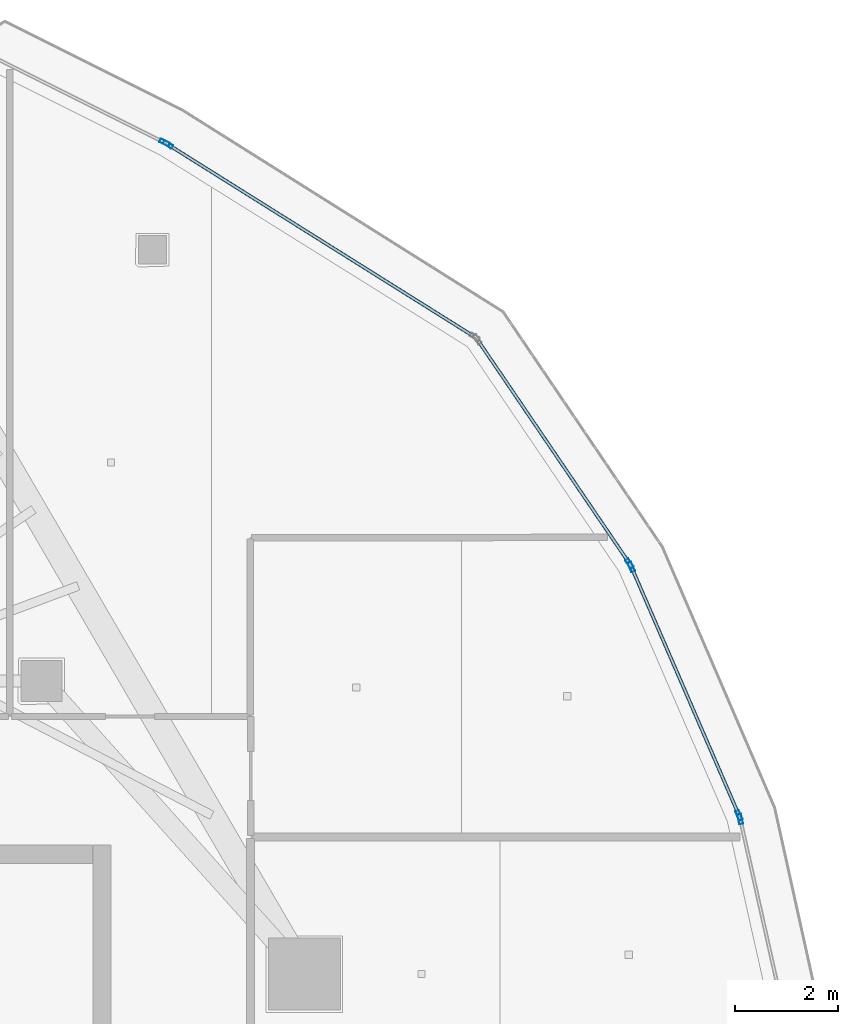
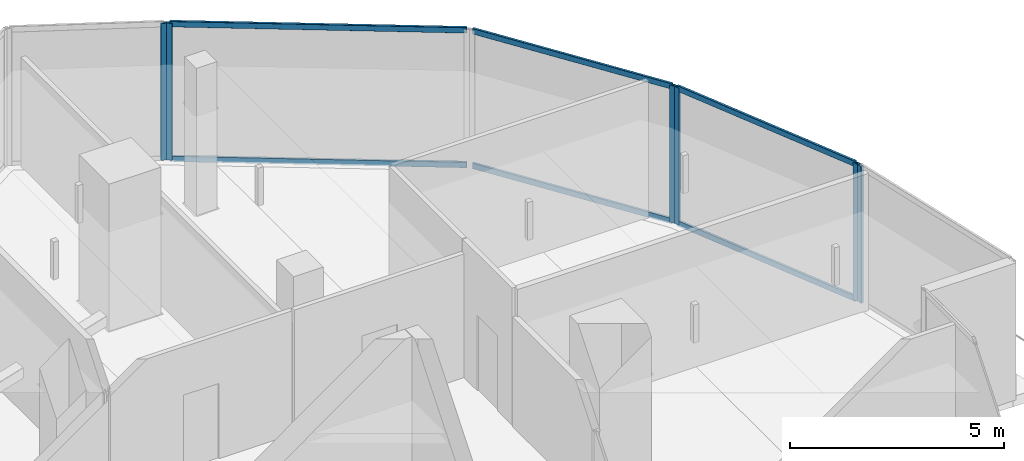
# One storey, part 18 of 30: 12 members, 5 elements without a shape of their own.
"""IFC4 building model written with IfcOpenShell, lengths in metres."""

from ifc_helpers import new_model, si_unit, direction, frame, origin, origin_2d, place, context, subcontext, project, spatial, hollow_rectangle, extrude, material, layer, layer_set, material_profile, profile_set, type_object, element, aggregate, save


model = new_model("IFC4")

# Units and contexts
model_context = context("Model", 3, precision=1e-05, world=origin(), true_north=direction((0.0, 1.0)))
body_context = subcontext(model_context, "Body", "Model", "MODEL_VIEW")
ifc_project = project(units=[si_unit("LENGTHUNIT", "METRE"), si_unit("AREAUNIT", "SQUARE_METRE"), si_unit("VOLUMEUNIT", "CUBIC_METRE"), si_unit("PLANEANGLEUNIT", "RADIAN"), si_unit("MASSUNIT", "GRAM", prefix="KILO")], contexts=[model_context])

# Site, building, storey
site_placement = place(None, origin())
site = spatial("IfcSite", under=ifc_project, at=site_placement, CompositionType="ELEMENT")
building_placement = place(site_placement, origin())
building = spatial("IfcBuilding", under=site, at=building_placement, Name="Qorvath Tower", CompositionType="ELEMENT")
storey_placement = place(building_placement, frame((0.0, 0.0, 289.199951171875)))
storey = spatial("IfcBuildingStorey", under=building, at=storey_placement, Name="L67", CompositionType="ELEMENT", Elevation=289.199951171875)

# Curtain wall, member
ifc_material_1 = material(Name="Anodised aluminium and triple low-E glass", Category="aluminium")
ifc_layer = layer(ifc_material_1, 0.179931640625)
ifc_layer_set = layer_set([ifc_layer], Name="CW-SYS-5")
curtain_wall_type = type_object("IfcCurtainWallType", Name="CW-SYS-5", PredefinedType="NOTDEFINED", material=ifc_layer_set)
curtain_wall_1_placement = place(storey_placement, origin())
curtain_wall_1 = element("IfcCurtainWall", 1, at=curtain_wall_1_placement, inside=storey, type_object=curtain_wall_type, Name="Curtain Wall CW-5 CW-T-L67-11.1", PredefinedType="NOTDEFINED")
ifc_material_2 = material(Name="Anodised aluminium 6063-T6", Category="aluminium")
ifc_material_profile_1 = material_profile(ifc_material_2, hollow_rectangle(XDim=0.074951171875, YDim=0.199951171875, WallThickness=0.00390625, InnerFilletRadius=0.00390625, OuterFilletRadius=0.008056640625, at=origin_2d()), Name="CWM 200x75")
ifc_profile_set_1 = profile_set([ifc_material_profile_1], Name="Anodised aluminium 6063-T6")
member_type_1 = type_object("IfcMemberType", Name="CWM-200", PredefinedType="MULLION", material=ifc_profile_set_1)
member_1_placement = place(storey_placement, frame((-3.638427734375, 8.76806640625, 0.0), z_axis=(0.0, 0.0, 1.0), x_axis=(-0.975680086847, -0.21919937986, 0.0)))
member_1 = element("IfcMember", 2, at=member_1_placement, type_object=member_type_1, Name="CW-5 mullion 2", PredefinedType="MULLION", context=body_context, shape_type="SweptSolid", body=[
    extrude(hollow_rectangle(XDim=0.074951171875, YDim=0.199951171875, WallThickness=0.00390625, InnerFilletRadius=0.00390625, OuterFilletRadius=0.008056640625, at=origin_2d()), origin(), (0.0, 0.0, 1.0), 3.91015625),
])
aggregate(curtain_wall_1, [member_1])

# Curtain wall, members
curtain_wall_2_placement = place(storey_placement, origin())
curtain_wall_2 = element("IfcCurtainWall", 3, at=curtain_wall_2_placement, inside=storey, type_object=curtain_wall_type, Name="Curtain Wall CW-5 CW-T-L67-12.1", PredefinedType="NOTDEFINED")
member_2_placement = place(storey_placement, frame((-3.66162109375, 8.839111328125, 0.0), z_axis=(0.0, 0.0, 1.0), x_axis=(-0.917563379091, -0.397589543814, 0.0)))
member_2 = element("IfcMember", 4, at=member_2_placement, type_object=member_type_1, Name="CW-5 mullion 1", PredefinedType="MULLION", context=body_context, shape_type="SweptSolid", body=[
    extrude(hollow_rectangle(XDim=0.074951171875, YDim=0.199951171875, WallThickness=0.00390625, InnerFilletRadius=0.00390625, OuterFilletRadius=0.008056640625, at=origin_2d()), origin(), (0.0, 0.0, 1.0), 3.91015625),
])
member_3_placement = place(storey_placement, frame((-5.751953125, 13.6630859375, 0.0), z_axis=(0.0, 0.0, 1.0), x_axis=(-0.917563379091, -0.397589543814, 0.0)))
member_3 = element("IfcMember", 5, at=member_3_placement, type_object=member_type_1, Name="CW-5 mullion 2", PredefinedType="MULLION", context=body_context, shape_type="SweptSolid", body=[
    extrude(hollow_rectangle(XDim=0.074951171875, YDim=0.199951171875, WallThickness=0.00390625, InnerFilletRadius=0.00390625, OuterFilletRadius=0.008056640625, at=origin_2d()), origin(), (0.0, 0.0, 1.0), 3.91015625),
])

# Curtain wall, member
curtain_wall_3_placement = place(storey_placement, origin())
curtain_wall_3 = element("IfcCurtainWall", 6, at=curtain_wall_3_placement, inside=storey, type_object=curtain_wall_type, Name="Curtain Wall CW-5 CW-T-L67-13.1", PredefinedType="NOTDEFINED")
member_4_placement = place(storey_placement, frame((-5.787841796875, 13.728515625, 0.0), z_axis=(0.0, 0.0, 1.0), x_axis=(-0.82717162684, -0.561949374723, 0.0)))
member_4 = element("IfcMember", 7, at=member_4_placement, type_object=member_type_1, Name="CW-5 mullion 1", PredefinedType="MULLION", context=body_context, shape_type="SweptSolid", body=[
    extrude(hollow_rectangle(XDim=0.074951171875, YDim=0.199951171875, WallThickness=0.00390625, InnerFilletRadius=0.00390625, OuterFilletRadius=0.008056640625, at=origin_2d()), origin(), (0.0, 0.0, 1.0), 3.91015625),
])

curtain_wall_4_placement = place(storey_placement, origin())
curtain_wall_4 = element("IfcCurtainWall", 8, at=curtain_wall_4_placement, inside=storey, type_object=curtain_wall_type, Name="Curtain Wall CW-5 CW-T-L67-14.1", PredefinedType="NOTDEFINED")
member_5_placement = place(storey_placement, frame((-14.746826171875, 21.86181640625, 0.0), z_axis=(0.0, 0.0, 1.0), x_axis=(-0.531405871405, -0.847117347147, 0.0)))
member_5 = element("IfcMember", 9, at=member_5_placement, type_object=member_type_1, Name="CW-5 mullion 2", PredefinedType="MULLION", context=body_context, shape_type="SweptSolid", body=[
    extrude(hollow_rectangle(XDim=0.074951171875, YDim=0.199951171875, WallThickness=0.00390625, InnerFilletRadius=0.00390625, OuterFilletRadius=0.008056640625, at=origin_2d()), origin(), (0.0, 0.0, 1.0), 3.91015625),
])

curtain_wall_5_placement = place(storey_placement, origin())
curtain_wall_5 = element("IfcCurtainWall", 10, at=curtain_wall_5_placement, inside=storey, type_object=curtain_wall_type, Name="Curtain Wall CW-5 CW-T-L67-15.1", PredefinedType="NOTDEFINED")
member_6_placement = place(storey_placement, frame((-14.812255859375, 21.898681640625, 0.0), z_axis=(0.0, 0.0, 1.0), x_axis=(-0.447256104786, -0.894405935094, 0.0)))
member_6 = element("IfcMember", 11, at=member_6_placement, type_object=member_type_1, Name="CW-5 mullion 1", PredefinedType="MULLION", context=body_context, shape_type="SweptSolid", body=[
    extrude(hollow_rectangle(XDim=0.074951171875, YDim=0.199951171875, WallThickness=0.00390625, InnerFilletRadius=0.00390625, OuterFilletRadius=0.008056640625, at=origin_2d()), origin(), (0.0, 0.0, 1.0), 3.91015625),
])
aggregate(curtain_wall_5, [member_6])

# Member
ifc_material_3 = material(Name="Anodised aluminium 6063-T6", Category="aluminium")
ifc_material_profile_2 = material_profile(ifc_material_3, hollow_rectangle(XDim=0.06494140625, YDim=0.159912109375, WallThickness=0.00341796875, InnerFilletRadius=0.00341796875, OuterFilletRadius=0.007080078125, at=origin_2d()), Name="CWT 160x65")
ifc_profile_set_2 = profile_set([ifc_material_profile_2], Name="Anodised aluminium 6063-T6")
member_type_2 = type_object("IfcMemberType", Name="CWT-160", PredefinedType="USERDEFINED", material=ifc_profile_set_2)
member_7_placement = place(storey_placement, frame((-3.676513671875, 8.87353515625, 0.032470703125), z_axis=(-0.397606115565, 0.917556198206, 0.0), x_axis=(-0.917556198206, -0.397606115565, 0.0)))
member_7 = element("IfcMember", 12, at=member_7_placement, type_object=member_type_2, Name="CW-5 transom 1.1", ObjectType="TRANSOM", PredefinedType="USERDEFINED", context=body_context, shape_type="SweptSolid", body=[
    extrude(hollow_rectangle(XDim=0.06494140625, YDim=0.159912109375, WallThickness=0.00341796875, InnerFilletRadius=0.00341796875, OuterFilletRadius=0.007080078125, at=origin_2d()), origin(), (0.0, 0.0, 1.0), 5.182373046875),
])

member_8_placement = place(storey_placement, frame((-3.676513671875, 8.87353515625, 3.877685546875), z_axis=(-0.397606115565, 0.917556198206, 0.0), x_axis=(-0.917556198206, -0.397606115565, 0.0)))
member_8 = element("IfcMember", 13, at=member_8_placement, type_object=member_type_2, Name="CW-5 transom 1.2", ObjectType="TRANSOM", PredefinedType="USERDEFINED", context=body_context, shape_type="SweptSolid", body=[
    extrude(hollow_rectangle(XDim=0.06494140625, YDim=0.159912109375, WallThickness=0.00341796875, InnerFilletRadius=0.00341796875, OuterFilletRadius=0.007080078125, at=origin_2d()), origin(), (0.0, 0.0, 1.0), 5.182373046875),
])

aggregate(curtain_wall_2, [member_2, member_3, member_7, member_8])

member_9_placement = place(storey_placement, frame((-5.808837890625, 13.759521484375, 0.032470703125), z_axis=(-0.561951762031, 0.827170004987, 0.0), x_axis=(-0.827170004987, -0.561951762031, 0.0)))
member_9 = element("IfcMember", 14, at=member_9_placement, type_object=member_type_2, Name="CW-5 transom 1.1", ObjectType="TRANSOM", PredefinedType="USERDEFINED", context=body_context, shape_type="SweptSolid", body=[
    extrude(hollow_rectangle(XDim=0.06494140625, YDim=0.159912109375, WallThickness=0.00341796875, InnerFilletRadius=0.00341796875, OuterFilletRadius=0.007080078125, at=origin_2d()), origin(), (0.0, 0.0, 1.0), 5.1826171875),
])

member_10_placement = place(storey_placement, frame((-5.808837890625, 13.759521484375, 3.877685546875), z_axis=(-0.561951762031, 0.827170004987, 0.0), x_axis=(-0.827170004987, -0.561951762031, 0.0)))
member_10 = element("IfcMember", 15, at=member_10_placement, type_object=member_type_2, Name="CW-5 transom 1.2", ObjectType="TRANSOM", PredefinedType="USERDEFINED", context=body_context, shape_type="SweptSolid", body=[
    extrude(hollow_rectangle(XDim=0.06494140625, YDim=0.159912109375, WallThickness=0.00341796875, InnerFilletRadius=0.00341796875, OuterFilletRadius=0.007080078125, at=origin_2d()), origin(), (0.0, 0.0, 1.0), 5.1826171875),
])

aggregate(curtain_wall_3, [member_4, member_9, member_10])

member_11_placement = place(storey_placement, frame((-8.826904296875, 18.148193359375, 0.032470703125), z_axis=(-0.847109159603, 0.531418922995, 0.0), x_axis=(-0.531418922995, -0.847109159603, 0.0)))
member_11 = element("IfcMember", 16, at=member_11_placement, type_object=member_type_2, Name="CW-5 transom 1.1", ObjectType="TRANSOM", PredefinedType="USERDEFINED", context=body_context, shape_type="SweptSolid", body=[
    extrude(hollow_rectangle(XDim=0.06494140625, YDim=0.159912109375, WallThickness=0.00341796875, InnerFilletRadius=0.00341796875, OuterFilletRadius=0.007080078125, at=origin_2d()), origin(), (0.0, 0.0, 1.0), 6.950927734375),
])

member_12_placement = place(storey_placement, frame((-8.826904296875, 18.148193359375, 3.877685546875), z_axis=(-0.847109159603, 0.531418922995, 0.0), x_axis=(-0.531418922995, -0.847109159603, 0.0)))
member_12 = element("IfcMember", 17, at=member_12_placement, type_object=member_type_2, Name="CW-5 transom 1.2", ObjectType="TRANSOM", PredefinedType="USERDEFINED", context=body_context, shape_type="SweptSolid", body=[
    extrude(hollow_rectangle(XDim=0.06494140625, YDim=0.159912109375, WallThickness=0.00341796875, InnerFilletRadius=0.00341796875, OuterFilletRadius=0.007080078125, at=origin_2d()), origin(), (0.0, 0.0, 1.0), 6.950927734375),
])

aggregate(curtain_wall_4, [member_5, member_11, member_12])

save(model, "model.ifc")
